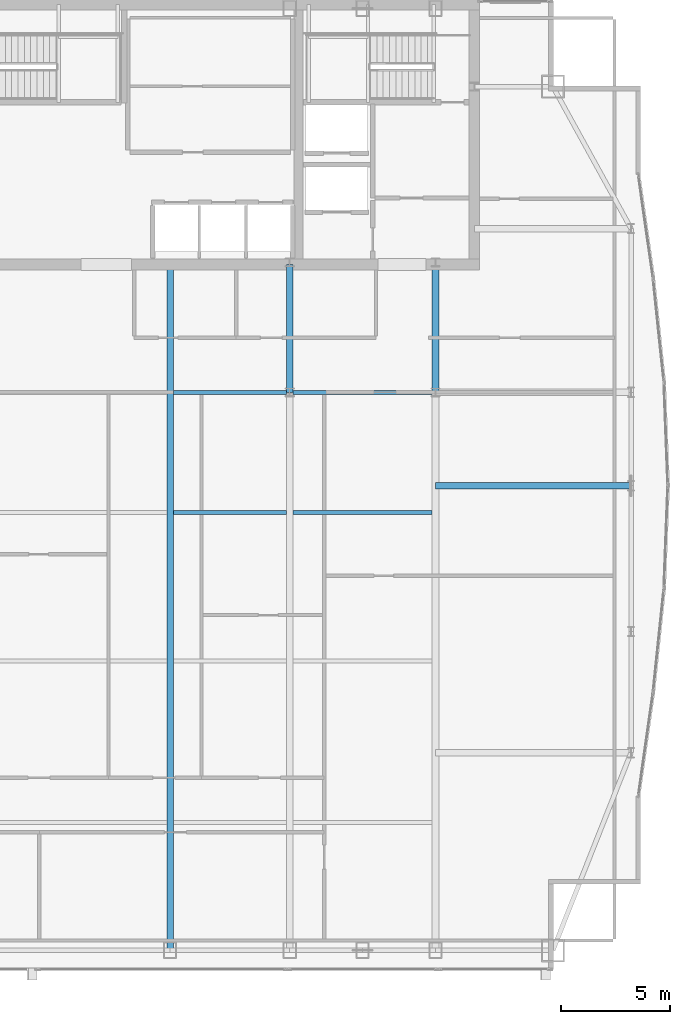
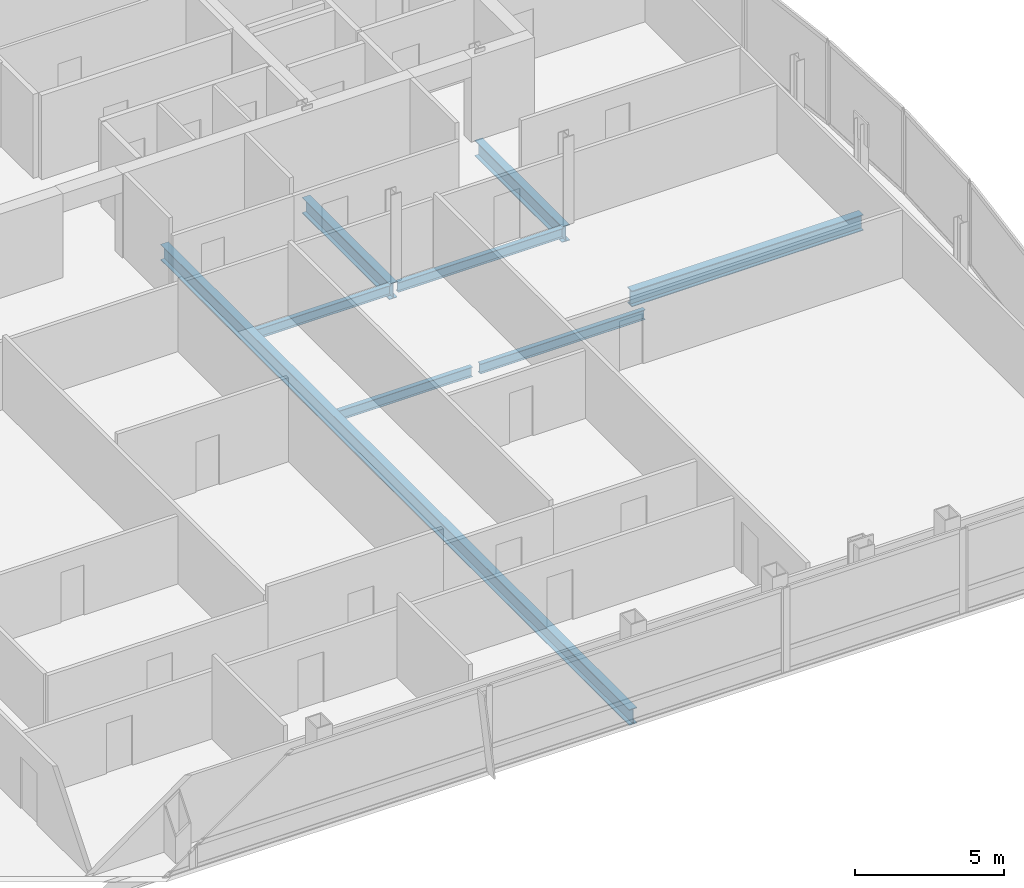
# One storey, part 17 of 30: 8 beams.
"""IFC4 building model written with IfcOpenShell, lengths in metres."""

from ifc_helpers import new_model, si_unit, direction, frame, origin, origin_2d, place, context, subcontext, project, spatial, i_section, extrude, material, material_profile, profile_set, type_object, element, save


model = new_model("IFC4")

# Units and contexts
model_context = context("Model", 3, precision=1e-05, world=origin(), true_north=direction((0.0, 1.0)))
body_context = subcontext(model_context, "Body", "Model", "MODEL_VIEW")
ifc_project = project(units=[si_unit("LENGTHUNIT", "METRE"), si_unit("AREAUNIT", "SQUARE_METRE"), si_unit("VOLUMEUNIT", "CUBIC_METRE"), si_unit("PLANEANGLEUNIT", "RADIAN"), si_unit("MASSUNIT", "GRAM", prefix="KILO")], contexts=[model_context])

# Site, building, storey
site_placement = place(None, origin())
site = spatial("IfcSite", under=ifc_project, at=site_placement, CompositionType="ELEMENT")
building_placement = place(site_placement, origin())
building = spatial("IfcBuilding", under=site, at=building_placement, Name="Khoronbel Lancet Exchange", CompositionType="ELEMENT")
storey_placement = place(building_placement, frame((0.0, 0.0, 280.60009765625)))
storey = spatial("IfcBuildingStorey", under=building, at=storey_placement, Name="L72", CompositionType="ELEMENT", Elevation=280.60009765625)

# Beams
ifc_material = material(Name="Steel S355", Category="steel")
ifc_material_profile_1 = material_profile(ifc_material, i_section(OverallWidth=0.300048828125, OverallDepth=0.64990234375, WebThickness=0.01611328125, FlangeThickness=0.031005859375, at=origin_2d()), Name="HEB 650")
ifc_profile_set_1 = profile_set([ifc_material_profile_1], Name="Steel S355")
beam_type_1 = type_object("IfcBeamType", Name="BM-BG4", PredefinedType="BEAM", material=ifc_profile_set_1)
beam_1_placement = place(storey_placement, frame((42.52490234375, 10.14990234375, -0.485107421875), z_axis=(0.0, 1.0, 0.0), x_axis=(-1.0, 0.0, 0.0)))
element("IfcBeam", 1, at=beam_1_placement, inside=storey, type_object=beam_type_1, Name="Level L72 primary floor girder G4", PredefinedType="BEAM", context=body_context, shape_type="SweptSolid", body=[
    extrude(i_section(OverallWidth=0.300048828125, OverallDepth=0.64990234375, WebThickness=0.01611328125, FlangeThickness=0.031005859375, at=origin_2d()), origin(), (0.0, 0.0, 1.0), 31.400146484375),
])
for number, where, z_axis, x_axis, name in (
    (2, (48.0, 35.699951171875, -0.485107421875), (0.0, 1.0, 0.0), (-1.0, 0.0, 0.0), "Level L72 spine tie girder GN5"),
    (3, (54.675048828125, 35.699951171875, -0.485107421875), (0.0, 1.0, 0.0), (-1.0, 0.0, 0.0), "Level L72 spine tie girder GN6"),
):
    element("IfcBeam", number, at=place(storey_placement, frame(where, z_axis=z_axis, x_axis=x_axis)), inside=storey, type_object=beam_type_1, Name=name, PredefinedType="BEAM", context=body_context, shape_type="SweptSolid", body=[
        extrude(i_section(OverallWidth=0.300048828125, OverallDepth=0.64990234375, WebThickness=0.01611328125, FlangeThickness=0.031005859375, at=origin_2d()), origin(), (0.0, 0.0, 1.0), 5.85009765625),
    ])
beam_2_placement = place(storey_placement, frame((54.675048828125, 31.425048828125, -0.485107421875), z_axis=(1.0, 0.0, 0.0), x_axis=(0.0, 1.0, 0.0)))
element("IfcBeam", 4, at=beam_2_placement, inside=storey, type_object=beam_type_1, Name="Level L72 east lens tie girder LG2E", PredefinedType="BEAM", context=body_context, shape_type="SweptSolid", body=[
    extrude(i_section(OverallWidth=0.300048828125, OverallDepth=0.64990234375, WebThickness=0.01611328125, FlangeThickness=0.031005859375, at=origin_2d()), origin(), (0.0, 0.0, 1.0), 8.954833984375),
])
ifc_material_profile_2 = material_profile(ifc_material, i_section(OverallWidth=0.179931640625, OverallDepth=0.39990234375, WebThickness=0.008544921875, FlangeThickness=0.013427734375, at=origin_2d()), Name="IPE 400")
ifc_profile_set_2 = profile_set([ifc_material_profile_2], Name="Steel S355")
beam_type_2 = type_object("IfcBeamType", Name="BM-BJ5", PredefinedType="JOIST", material=ifc_profile_set_2)
beam_3_placement = place(storey_placement, frame((42.675048828125, 30.199951171875, -0.360107421875), z_axis=(1.0, 0.0, 0.0), x_axis=(0.0, 1.0, 0.0)))
element("IfcBeam", 5, at=beam_3_placement, inside=storey, type_object=beam_type_2, Name="Level L72 secondary composite joist J14", PredefinedType="JOIST", context=body_context, shape_type="SweptSolid", body=[
    extrude(i_section(OverallWidth=0.179931640625, OverallDepth=0.39990234375, WebThickness=0.008544921875, FlangeThickness=0.013427734375, at=origin_2d()), origin(), (0.0, 0.0, 1.0), 5.175048828125),
])
beam_4_placement = place(storey_placement, frame((48.14990234375, 30.199951171875, -0.360107421875), z_axis=(1.0, 0.0, 0.0), x_axis=(0.0, 1.0, 0.0)))
element("IfcBeam", 6, at=beam_4_placement, inside=storey, type_object=beam_type_2, Name="Level L72 secondary composite joist J15", PredefinedType="JOIST", context=body_context, shape_type="SweptSolid", body=[
    extrude(i_section(OverallWidth=0.179931640625, OverallDepth=0.39990234375, WebThickness=0.008544921875, FlangeThickness=0.013427734375, at=origin_2d()), origin(), (0.0, 0.0, 1.0), 6.375),
])
beam_5_placement = place(storey_placement, frame((42.675048828125, 35.699951171875, -0.360107421875), z_axis=(1.0, 0.0, 0.0), x_axis=(0.0, 1.0, 0.0)))
element("IfcBeam", 7, at=beam_5_placement, inside=storey, type_object=beam_type_2, Name="Level L72 secondary composite joist J19", PredefinedType="JOIST", context=body_context, shape_type="SweptSolid", body=[
    extrude(i_section(OverallWidth=0.179931640625, OverallDepth=0.39990234375, WebThickness=0.008544921875, FlangeThickness=0.013427734375, at=origin_2d()), origin(), (0.0, 0.0, 1.0), 5.175048828125),
])
beam_6_placement = place(storey_placement, frame((48.14990234375, 35.699951171875, -0.360107421875), z_axis=(1.0, 0.0, 0.0), x_axis=(0.0, 1.0, 0.0)))
element("IfcBeam", 8, at=beam_6_placement, inside=storey, type_object=beam_type_2, Name="Level L72 secondary composite joist J20", PredefinedType="JOIST", context=body_context, shape_type="SweptSolid", body=[
    extrude(i_section(OverallWidth=0.179931640625, OverallDepth=0.39990234375, WebThickness=0.008544921875, FlangeThickness=0.013427734375, at=origin_2d()), origin(), (0.0, 0.0, 1.0), 6.375),
])

save(model, "model.ifc")
